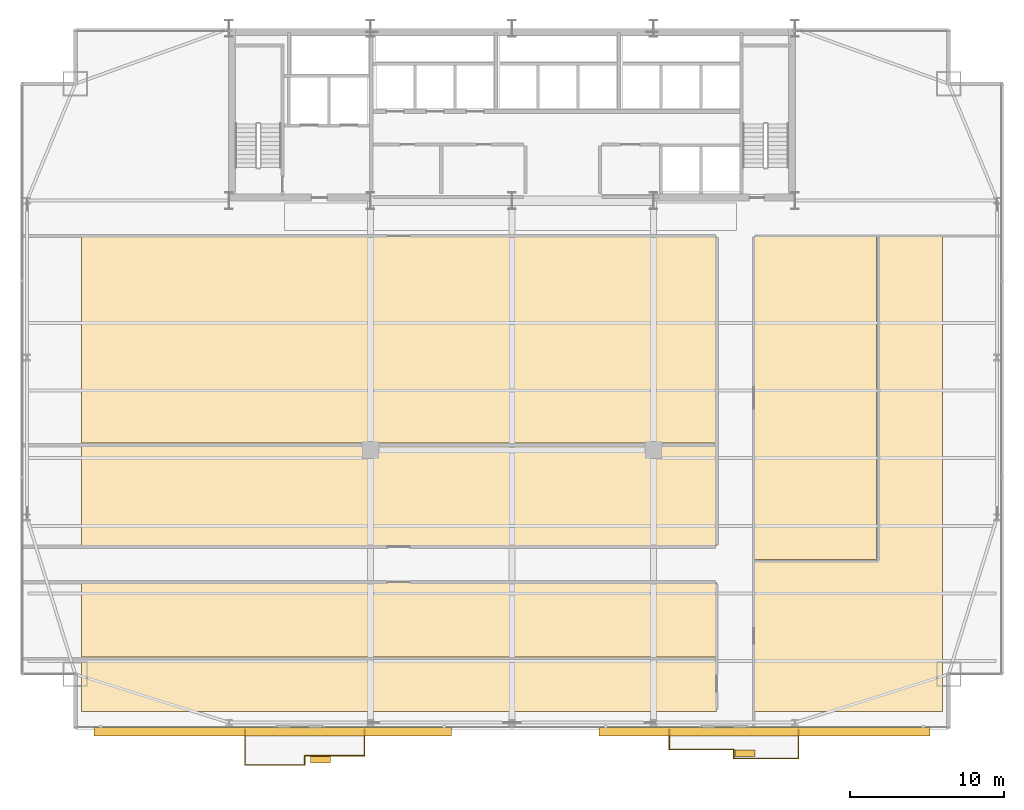
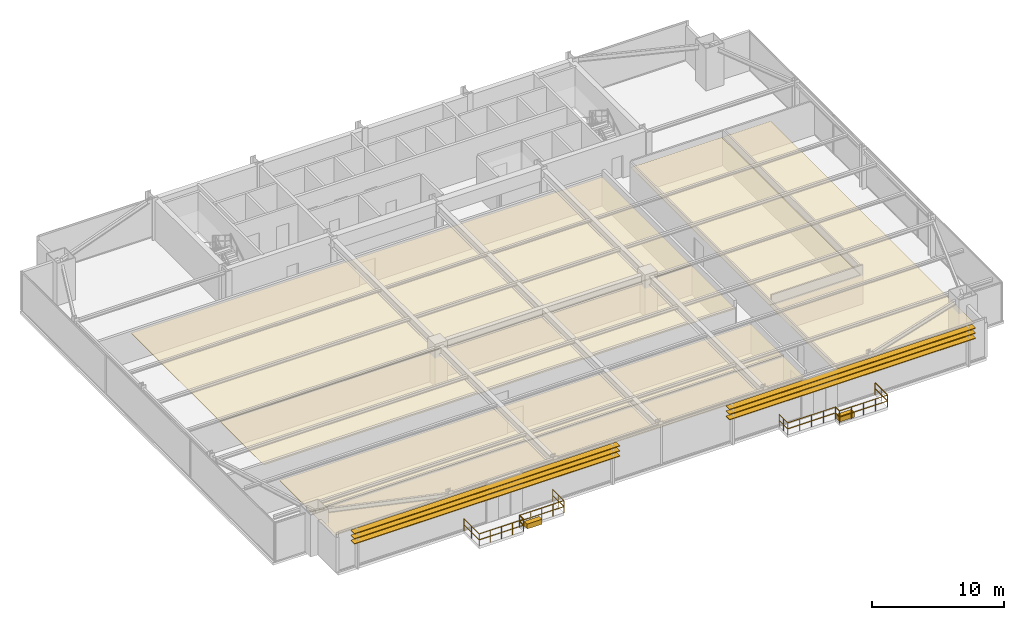
# One storey, part 30 of 31: 10 railings, 8 coverings, 6 shading devices.
"""IFC4 building model written with IfcOpenShell, lengths in metres."""

import ifcopenshell
import ifcopenshell.guid

model = None  # the IFC model being written
_history = None  # IfcOwnerHistory: only IFC2X3 demands one
_inside = {}  # id of a spatial element -> (the spatial element, [elements in it])
_under = {}  # id of a project, library or spatial element -> (it, [spatial elements below it])
_declared = {}  # id of a project -> (the project, [libraries it declares])
_typed = {}  # id of a type object -> (the type object, [elements of that type])
_made_of = {}  # id of a material, layer set ... -> (it, [elements and type objects made of it])


def new_model(schema):
    """Start an empty IFC model of exactly this schema.

    Asked for "IFC4X3", IfcOpenShell would pick the latest addendum, in which some entities
    have other attributes; the version numbers below select the first issue.
    IFC2X3 requires an IfcOwnerHistory on every rooted entity: one is made here for all.
    """
    global model, _history
    if schema == "IFC4X3":
        model = ifcopenshell.file(schema_version=(4, 3, 0, 0))
    else:
        model = ifcopenshell.file(schema=schema)
    _inside.clear()
    _under.clear()
    _declared.clear()
    _typed.clear()
    _made_of.clear()
    _history = None
    if model.schema == "IFC2X3":
        org = make("IfcOrganization", Name="unknown")
        user = make(
            "IfcPersonAndOrganization",
            ThePerson=make("IfcPerson", FamilyName="unknown"),
            TheOrganization=org,
        )
        app = make(
            "IfcApplication",
            ApplicationDeveloper=org,
            Version="unknown",
            ApplicationFullName="unknown",
            ApplicationIdentifier="unknown",
        )
        _history = make(
            "IfcOwnerHistory",
            OwningUser=user,
            OwningApplication=app,
            ChangeAction="ADDED",
            CreationDate=0,
        )
    return model


def make(cls, **values):
    """One entity of the class cls with the attributes given. An attribute that is None is left unset."""
    return model.create_entity(
        cls, **{name: value for name, value in values.items() if value is not None}
    )


def rooted(cls, **values):
    """An entity with a GlobalId (a new one), such as an element, a storey or a relation."""
    return make(cls, GlobalId=ifcopenshell.guid.new(), OwnerHistory=_history, **values)


def si_unit(unit_type, name, prefix=None):
    """IfcSIUnit, for example si_unit("LENGTHUNIT", "METRE", prefix="MILLI")."""
    return make("IfcSIUnit", UnitType=unit_type, Prefix=prefix, Name=name)


def assignment(units):
    """IfcUnitAssignment: the units of a project."""
    return None if units is None else make("IfcUnitAssignment", Units=units)


def point(xyz):
    """IfcCartesianPoint."""
    return None if xyz is None else make("IfcCartesianPoint", Coordinates=xyz)


def direction(xyz):
    """IfcDirection."""
    return None if xyz is None else make("IfcDirection", DirectionRatios=xyz)


def frame(location, z_axis=None, x_axis=None):
    """IfcAxis2Placement3D, a coordinate frame: its origin and axes. An axis left out is left unset."""
    return make(
        "IfcAxis2Placement3D",
        Location=point(location),
        Axis=direction(z_axis),
        RefDirection=direction(x_axis),
    )


def frame_2d(location, x_axis=None):
    """IfcAxis2Placement2D, a coordinate frame in the plane: its origin and x axis."""
    return make(
        "IfcAxis2Placement2D", Location=point(location), RefDirection=direction(x_axis)
    )


def origin():
    """The frame at (0, 0, 0) with its axes left unset."""
    return frame((0.0, 0.0, 0.0))


def origin_2d():
    """The frame at (0, 0) in the plane with its x axis left unset."""
    return frame_2d((0.0, 0.0))


def place(relative_to, where):
    """IfcLocalPlacement: puts the frame where relative to a parent placement (None: the world)."""
    return make(
        "IfcLocalPlacement", PlacementRelTo=relative_to, RelativePlacement=where
    )


def context(
    kind, dimensions, precision=None, world=None, true_north=None, identifier=None
):
    """IfcGeometricRepresentationContext, for example the 3D "Model" context."""
    return make(
        "IfcGeometricRepresentationContext",
        ContextIdentifier=identifier,
        ContextType=kind,
        CoordinateSpaceDimension=dimensions,
        Precision=precision,
        WorldCoordinateSystem=world,
        TrueNorth=true_north,
    )


def subcontext(parent, identifier, kind, view, scale=None):
    """IfcGeometricRepresentationSubContext, for example "Body" below "Model"."""
    return make(
        "IfcGeometricRepresentationSubContext",
        ContextIdentifier=identifier,
        ContextType=kind,
        ParentContext=parent,
        TargetScale=scale,
        TargetView=view,
    )


def project(units=None, contexts=None):
    """IfcProject with its units and contexts."""
    return rooted(
        "IfcProject",
        Name="project",
        RepresentationContexts=contexts,
        UnitsInContext=assignment(units),
    )


def spatial(cls, under=None, at=None, **own):
    """A site, building, storey or space (cls), placed at a placement, below another one or the project."""
    s = rooted(cls, ObjectPlacement=at, **own)
    if under is not None:
        _under.setdefault(under.id(), (under, []))[1].append(s)
    return s


def polyline(points):
    """IfcPolyline through the points."""
    return make("IfcPolyline", Points=[point(p) for p in points])


def profile(cls, at=None, kind="AREA", **sizes):
    """A parametric profile (cls). Its sizes go by their IFC names, for example OverallWidth=200.0."""
    return make(cls, ProfileType=kind, Position=at, **sizes)


def rectangle(**sizes):
    """IfcRectangleProfileDef."""
    return profile("IfcRectangleProfileDef", **sizes)


def outline(outer, holes=None, kind="AREA"):
    """IfcArbitraryClosedProfileDef: a profile drawn as a closed curve; with holes, ...WithVoids."""
    if holes is None:
        return make("IfcArbitraryClosedProfileDef", ProfileType=kind, OuterCurve=outer)
    return make(
        "IfcArbitraryProfileDefWithVoids",
        ProfileType=kind,
        OuterCurve=outer,
        InnerCurves=holes,
    )


def extrude(swept, where, along, depth):
    """IfcExtrudedAreaSolid: the profile swept, set in the frame where, extruded along a direction by depth."""
    return make(
        "IfcExtrudedAreaSolid",
        SweptArea=swept,
        Position=where,
        ExtrudedDirection=direction(along),
        Depth=depth,
    )


def shape(context_of_items, identifier, shape_type, items):
    """IfcShapeRepresentation: the items that make up one representation, for example the "Body"."""
    return make(
        "IfcShapeRepresentation",
        ContextOfItems=context_of_items,
        RepresentationIdentifier=identifier,
        RepresentationType=shape_type,
        Items=items,
    )


def source(mapping_origin, context_of_items, identifier, shape_type, items):
    """IfcRepresentationMap: a shape defined once, which mapped items show again and again."""
    return make(
        "IfcRepresentationMap",
        MappingOrigin=mapping_origin,
        MappedRepresentation=shape(context_of_items, identifier, shape_type, items),
    )


def transform(
    local_origin,
    x_axis=None,
    y_axis=None,
    z_axis=None,
    scale=None,
    scale2=None,
    scale3=None,
    uniform=True,
):
    """IfcCartesianTransformationOperator3D, or its non-uniform kind. x_axis, y_axis, z_axis: its Axis1, 2, 3."""
    if uniform:
        return make(
            "IfcCartesianTransformationOperator3D",
            Axis1=direction(x_axis),
            Axis2=direction(y_axis),
            LocalOrigin=point(local_origin),
            Scale=scale,
            Axis3=direction(z_axis),
        )
    return make(
        "IfcCartesianTransformationOperator3DnonUniform",
        Axis1=direction(x_axis),
        Axis2=direction(y_axis),
        LocalOrigin=point(local_origin),
        Scale=scale,
        Axis3=direction(z_axis),
        Scale2=scale2,
        Scale3=scale3,
    )


def mapped(mapping_source, mapping_target):
    """IfcMappedItem: shows the shape of a source again, moved by a transform."""
    return make(
        "IfcMappedItem", MappingSource=mapping_source, MappingTarget=mapping_target
    )


def material(Name=None, Category=None):
    """IfcMaterial."""
    return make("IfcMaterial", Name=Name, Category=Category)


def layer(
    of_material, thickness, ventilated=None, Name=None, Category=None, Priority=None
):
    """IfcMaterialLayer: one layer of a wall or slab, of a material (None: an air gap)."""
    return make(
        "IfcMaterialLayer",
        Material=of_material,
        LayerThickness=thickness,
        IsVentilated=ventilated,
        Name=Name,
        Category=Category,
        Priority=Priority,
    )


def layer_set(layers, Name=None):
    """IfcMaterialLayerSet."""
    return make("IfcMaterialLayerSet", MaterialLayers=layers, LayerSetName=Name)


def made_of(thing, what):
    """Note that an element or type object is made of a material, layer set ...; save() writes the relation."""
    if what is not None:
        _made_of.setdefault(what.id(), (what, []))[1].append(thing)
    return thing


def type_object(cls, material=None, **own):
    """A type object (cls), such as IfcWallType, which elements share."""
    return made_of(rooted(cls, **own), material)


def type_shapes(of_type, sources):
    """Give a type object the sources (RepresentationMaps) that its elements show as mapped items."""
    of_type.RepresentationMaps = sources


def element(
    cls,
    number,
    at=None,
    inside=None,
    cuts=None,
    type_object=None,
    material=None,
    context=None,
    identifier="Body",
    shape_type=None,
    held_by="IfcProductDefinitionShape",
    body=None,
    shapes=None,
    **own,
):
    """One element of the class cls, such as IfcWall. Its Tag is "e" and its number.

    at: its placement. inside: the storey or other place that contains it. cuts: it is an
    opening in that element (IfcRelVoidsElement). A single representation is given by context,
    identifier, shape_type and body (its items); several are given by shapes. held_by: the class
    of the entity that holds the representations. save() writes the other relations.
    """
    e = rooted(cls, Tag="e%d" % number, ObjectPlacement=at, **own)
    if body is not None:
        shapes = [shape(context, identifier, shape_type, body)]
    if shapes is not None:
        e.Representation = make(held_by, Representations=shapes)
    if inside is not None:
        _inside.setdefault(inside.id(), (inside, []))[1].append(e)
    if cuts is not None:
        rooted(
            "IfcRelVoidsElement", RelatingBuildingElement=cuts, RelatedOpeningElement=e
        )
    if type_object is not None:
        _typed.setdefault(type_object.id(), (type_object, []))[1].append(e)
    return made_of(e, material)


def aggregate(whole, parts):
    """IfcRelAggregates: a whole, such as a stair, and the parts it consists of."""
    return rooted("IfcRelAggregates", RelatingObject=whole, RelatedObjects=parts)


def save(model, path):
    """Write the relations noted so far, then the file.

    IfcRelAggregates (storeys below a building ...), IfcRelContainedInSpatialStructure (elements
    in a storey), IfcRelDefinesByType, IfcRelAssociatesMaterial and IfcRelDeclares: one each for
    every whole, place, type object, material and project.
    """
    for whole, parts in _under.values():
        aggregate(whole, parts)
    for where, things in _inside.values():
        rooted(
            "IfcRelContainedInSpatialStructure",
            RelatedElements=things,
            RelatingStructure=where,
        )
    for kind, things in _typed.values():
        rooted("IfcRelDefinesByType", RelatedObjects=things, RelatingType=kind)
    for what, things in _made_of.values():
        rooted("IfcRelAssociatesMaterial", RelatedObjects=things, RelatingMaterial=what)
    for by, libraries in _declared.values():
        rooted("IfcRelDeclares", RelatingContext=by, RelatedDefinitions=libraries)
    model.write(path)


model = new_model("IFC4")

# Units and contexts
model_context = context("Model", 3, precision=1e-05, world=origin(), true_north=direction((0.0, 1.0)))
body_context = subcontext(model_context, "Body", "Model", "MODEL_VIEW")
ifc_project = project(units=[si_unit("LENGTHUNIT", "METRE"), si_unit("AREAUNIT", "SQUARE_METRE"), si_unit("VOLUMEUNIT", "CUBIC_METRE"), si_unit("PLANEANGLEUNIT", "RADIAN"), si_unit("MASSUNIT", "GRAM", prefix="KILO")], contexts=[model_context])

# Site, building, storey
site_placement = place(None, origin())
site = spatial("IfcSite", under=ifc_project, at=site_placement, CompositionType="ELEMENT")
building_placement = place(site_placement, origin())
building = spatial("IfcBuilding", under=site, at=building_placement, Name="Varnel Quay Broadcast Tower", CompositionType="ELEMENT")
storey_placement = place(building_placement, frame((0.0, 0.0, 39.300048828125)))
storey = spatial("IfcBuildingStorey", under=building, at=storey_placement, Name="L08", CompositionType="ELEMENT", Elevation=39.300048828125)

# Coverings
ifc_material_1 = material(Name="Micro-Perforated Acoustic Ceiling Tile")
ifc_layer_1 = layer(ifc_material_1, 0.0400390625, Name="Micro-Perforated Acoustic Ceiling Tile")
ifc_layer_set_1 = layer_set([ifc_layer_1], Name="Micro-Perforated Acoustic Ceiling Tile")
covering_type_1 = type_object("IfcCoveringType", Name="Cov_AcousticCeiling", PredefinedType="CEILING", material=ifc_layer_set_1)
covering_1_placement = place(storey_placement, frame((0.0, 0.0, 2.579833984375)))
element("IfcCovering", 1, at=covering_1_placement, inside=storey, type_object=covering_type_1, Name="L08 Broadcast Seminar Room 1 Acoustic Ceiling", PredefinedType="CEILING", context=body_context, shape_type="SweptSolid", body=[
    extrude(outline(polyline([(5.985107421875, 2.375), (47.284912109375, 2.375), (47.284912109375, 5.864990234375), (5.985107421875, 5.864990234375), (5.985107421875, 2.375)])), origin(), (0.0, 0.0, 1.0), 0.0400390625),
])
covering_2_placement = place(storey_placement, frame((0.0, 0.0, 2.579833984375)))
element("IfcCovering", 2, at=covering_2_placement, inside=storey, type_object=covering_type_1, Name="L08 Podcast Recording Studio 2 Acoustic Ceiling", PredefinedType="CEILING", context=body_context, shape_type="SweptSolid", body=[
    extrude(outline(polyline([(5.985107421875, 5.93505859375), (47.284912109375, 5.93505859375), (47.284912109375, 10.7548828125), (5.985107421875, 10.7548828125), (5.985107421875, 5.93505859375)])), origin(), (0.0, 0.0, 1.0), 0.0400390625),
])
covering_3_placement = place(storey_placement, frame((0.0, 0.0, 2.579833984375)))
element("IfcCovering", 3, at=covering_3_placement, inside=storey, type_object=covering_type_1, Name="L08 Foley Sound Studio 3 Acoustic Ceiling", PredefinedType="CEILING", context=body_context, shape_type="SweptSolid", body=[
    extrude(outline(polyline([(5.985107421875, 13.125), (47.284912109375, 13.125), (47.284912109375, 19.7548828125), (5.985107421875, 19.7548828125), (5.985107421875, 13.125)])), origin(), (0.0, 0.0, 1.0), 0.0400390625),
])
covering_4_placement = place(storey_placement, frame((0.0, 0.0, 2.579833984375)))
element("IfcCovering", 4, at=covering_4_placement, inside=storey, type_object=covering_type_1, Name="L08 Voice Booth 4 Acoustic Ceiling", PredefinedType="CEILING", context=body_context, shape_type="SweptSolid", body=[
    extrude(outline(polyline([(5.985107421875, 19.824951171875), (47.284912109375, 19.824951171875), (47.284912109375, 33.264892578125), (5.985107421875, 33.264892578125), (5.985107421875, 19.824951171875)])), origin(), (0.0, 0.0, 1.0), 0.0400390625),
])
covering_5_placement = place(storey_placement, frame((0.0, 0.0, 2.579833984375)))
element("IfcCovering", 5, at=covering_5_placement, inside=storey, type_object=covering_type_1, Name="L08 Talent Lounge 5 Acoustic Ceiling", PredefinedType="CEILING", context=body_context, shape_type="SweptSolid", body=[
    extrude(outline(polyline([(49.7548828125, 2.375), (62.014892578125, 2.375), (62.014892578125, 33.264892578125), (57.784912109375, 33.264892578125), (57.784912109375, 12.195068359375), (49.7548828125, 12.195068359375), (49.7548828125, 2.375)])), origin(), (0.0, 0.0, 1.0), 0.0400390625),
])
covering_6_placement = place(storey_placement, frame((0.0, 0.0, 2.579833984375)))
element("IfcCovering", 6, at=covering_6_placement, inside=storey, type_object=covering_type_1, Name="L08 Foley Sound Studio 6 Acoustic Ceiling", PredefinedType="CEILING", context=body_context, shape_type="SweptSolid", body=[
    extrude(outline(polyline([(49.7548828125, 12.264892578125), (57.715087890625, 12.264892578125), (57.715087890625, 33.264892578125), (49.7548828125, 33.264892578125), (49.7548828125, 12.264892578125)])), origin(), (0.0, 0.0, 1.0), 0.0400390625),
])

# Railings
ifc_material_2 = material(Name="Anodised Bronze Aluminium 6063-T6", Category="aluminium")
railing_type = type_object("IfcRailingType", Name="Rail_Balustrade1150", PredefinedType="BALUSTRADE", material=ifc_material_2)
railing_1_placement = place(storey_placement, frame((16.6298828125, -1.110107421875, 0.0)))
element("IfcRailing", 7, at=railing_1_placement, inside=storey, type_object=railing_type, Name="L08 Terrace 1 Guard 1", PredefinedType="BALUSTRADE", context=body_context, shape_type="SweptSolid", body=[
    extrude(rectangle(XDim=0.048095703125, YDim=0.048095703125, at=origin_2d()), frame((0.0, 0.0, 1.1259765625), z_axis=(1.0, 0.0, 0.0), x_axis=(0.0, 1.0, 0.0)), (0.0, 0.0, 1.0), 3.885009765625),
    extrude(rectangle(XDim=0.048095703125, YDim=0.048095703125, at=origin_2d()), frame((0.0, 0.0, 0.574951171875), z_axis=(1.0, 0.0, 0.0), x_axis=(0.0, 1.0, 0.0)), (0.0, 0.0, 1.0), 3.885009765625),
    extrude(rectangle(XDim=0.0419921875, YDim=0.0419921875, at=origin_2d()), origin(), (0.0, 0.0, 1.0), 1.101806640625),
    extrude(rectangle(XDim=0.0419921875, YDim=0.0419921875, at=origin_2d()), frame((0.97119140625, 0.0, 0.0)), (0.0, 0.0, 1.0), 1.101806640625),
    extrude(rectangle(XDim=0.0419921875, YDim=0.0419921875, at=origin_2d()), frame((1.9423828125, 0.0, 0.0)), (0.0, 0.0, 1.0), 1.101806640625),
    extrude(rectangle(XDim=0.0419921875, YDim=0.0419921875, at=origin_2d()), frame((2.913818359375, 0.0, 0.0)), (0.0, 0.0, 1.0), 1.101806640625),
    extrude(rectangle(XDim=0.0419921875, YDim=0.0419921875, at=origin_2d()), frame((3.885009765625, 0.0, 0.0)), (0.0, 0.0, 1.0), 1.101806640625),
])
railing_2_placement = place(storey_placement, frame((20.514892578125, -1.110107421875, 0.0)))
element("IfcRailing", 8, at=railing_2_placement, inside=storey, type_object=railing_type, Name="L08 Terrace 1 Guard 2", PredefinedType="BALUSTRADE", context=body_context, shape_type="SweptSolid", body=[
    extrude(rectangle(XDim=0.048095703125, YDim=0.048095703125, at=origin_2d()), frame((0.0, 0.0, 1.1259765625), z_axis=(0.0, 1.0, 0.0), x_axis=(-1.0, 0.0, 0.0)), (0.0, 0.0, 1.0), 0.60009765625),
    extrude(rectangle(XDim=0.048095703125, YDim=0.048095703125, at=origin_2d()), frame((0.0, 0.0, 0.574951171875), z_axis=(0.0, 1.0, 0.0), x_axis=(-1.0, 0.0, 0.0)), (0.0, 0.0, 1.0), 0.60009765625),
    extrude(rectangle(XDim=0.0419921875, YDim=0.0419921875, at=origin_2d()), origin(), (0.0, 0.0, 1.0), 1.101806640625),
    extrude(rectangle(XDim=0.0419921875, YDim=0.0419921875, at=origin_2d()), frame((0.0, 0.60009765625, 0.0)), (0.0, 0.0, 1.0), 1.101806640625),
])
railing_3_placement = place(storey_placement, frame((20.514892578125, -0.510009765625, 0.0)))
element("IfcRailing", 9, at=railing_3_placement, inside=storey, type_object=railing_type, Name="L08 Terrace 1 Guard 3", PredefinedType="BALUSTRADE", context=body_context, shape_type="SweptSolid", body=[
    extrude(rectangle(XDim=0.048095703125, YDim=0.048095703125, at=origin_2d()), frame((0.0, 0.0, 1.1259765625), z_axis=(1.0, 0.0, 0.0), x_axis=(0.0, 1.0, 0.0)), (0.0, 0.0, 1.0), 3.885009765625),
    extrude(rectangle(XDim=0.048095703125, YDim=0.048095703125, at=origin_2d()), frame((0.0, 0.0, 0.574951171875), z_axis=(1.0, 0.0, 0.0), x_axis=(0.0, 1.0, 0.0)), (0.0, 0.0, 1.0), 3.885009765625),
    extrude(rectangle(XDim=0.0419921875, YDim=0.0419921875, at=origin_2d()), origin(), (0.0, 0.0, 1.0), 1.101806640625),
    extrude(rectangle(XDim=0.0419921875, YDim=0.0419921875, at=origin_2d()), frame((0.97119140625, 0.0, 0.0)), (0.0, 0.0, 1.0), 1.101806640625),
    extrude(rectangle(XDim=0.0419921875, YDim=0.0419921875, at=origin_2d()), frame((1.9423828125, 0.0, 0.0)), (0.0, 0.0, 1.0), 1.101806640625),
    extrude(rectangle(XDim=0.0419921875, YDim=0.0419921875, at=origin_2d()), frame((2.913818359375, 0.0, 0.0)), (0.0, 0.0, 1.0), 1.101806640625),
    extrude(rectangle(XDim=0.0419921875, YDim=0.0419921875, at=origin_2d()), frame((3.885009765625, 0.0, 0.0)), (0.0, 0.0, 1.0), 1.101806640625),
])
railing_4_placement = place(storey_placement, frame((24.39990234375, -0.510009765625, 0.0)))
element("IfcRailing", 10, at=railing_4_placement, inside=storey, type_object=railing_type, Name="L08 Terrace 1 Guard 4", PredefinedType="BALUSTRADE", context=body_context, shape_type="SweptSolid", body=[
    extrude(rectangle(XDim=0.048095703125, YDim=0.048095703125, at=origin_2d()), frame((0.0, 0.0, 1.1259765625), z_axis=(0.0, 1.0, 0.0), x_axis=(-1.0, 0.0, 0.0)), (0.0, 0.0, 1.0), 1.7099609375),
    extrude(rectangle(XDim=0.048095703125, YDim=0.048095703125, at=origin_2d()), frame((0.0, 0.0, 0.574951171875), z_axis=(0.0, 1.0, 0.0), x_axis=(-1.0, 0.0, 0.0)), (0.0, 0.0, 1.0), 1.7099609375),
    extrude(rectangle(XDim=0.0419921875, YDim=0.0419921875, at=origin_2d()), origin(), (0.0, 0.0, 1.0), 1.101806640625),
    extrude(rectangle(XDim=0.0419921875, YDim=0.0419921875, at=origin_2d()), frame((0.0, 0.85498046875, 0.0)), (0.0, 0.0, 1.0), 1.101806640625),
    extrude(rectangle(XDim=0.0419921875, YDim=0.0419921875, at=origin_2d()), frame((0.0, 1.7099609375, 0.0)), (0.0, 0.0, 1.0), 1.101806640625),
])
railing_5_placement = place(storey_placement, frame((16.6298828125, 1.199951171875, 0.0)))
element("IfcRailing", 11, at=railing_5_placement, inside=storey, type_object=railing_type, Name="L08 Terrace 1 Guard 6", PredefinedType="BALUSTRADE", context=body_context, shape_type="SweptSolid", body=[
    extrude(rectangle(XDim=0.048095703125, YDim=0.048095703125, at=origin_2d()), frame((0.0, 0.0, 1.1259765625), z_axis=(0.0, -1.0, 0.0), x_axis=(1.0, 0.0, 0.0)), (0.0, 0.0, 1.0), 2.31005859375),
    extrude(rectangle(XDim=0.048095703125, YDim=0.048095703125, at=origin_2d()), frame((0.0, 0.0, 0.574951171875), z_axis=(0.0, -1.0, 0.0), x_axis=(1.0, 0.0, 0.0)), (0.0, 0.0, 1.0), 2.31005859375),
    extrude(rectangle(XDim=0.0419921875, YDim=0.0419921875, at=origin_2d()), origin(), (0.0, 0.0, 1.0), 1.101806640625),
    extrude(rectangle(XDim=0.0419921875, YDim=0.0419921875, at=origin_2d()), frame((0.0, -1.155029296875, 0.0)), (0.0, 0.0, 1.0), 1.101806640625),
    extrude(rectangle(XDim=0.0419921875, YDim=0.0419921875, at=origin_2d()), frame((0.0, -2.31005859375, 0.0)), (0.0, 0.0, 1.0), 1.101806640625),
])
railing_6_placement = place(storey_placement, frame((44.22998046875, -0.090087890625, 0.0)))
element("IfcRailing", 12, at=railing_6_placement, inside=storey, type_object=railing_type, Name="L08 Terrace 2 Guard 1", PredefinedType="BALUSTRADE", context=body_context, shape_type="SweptSolid", body=[
    extrude(rectangle(XDim=0.048095703125, YDim=0.048095703125, at=origin_2d()), frame((0.0, 0.0, 1.1259765625), z_axis=(1.0, 0.0, 0.0), x_axis=(0.0, 1.0, 0.0)), (0.0, 0.0, 1.0), 4.199951171875),
    extrude(rectangle(XDim=0.048095703125, YDim=0.048095703125, at=origin_2d()), frame((0.0, 0.0, 0.574951171875), z_axis=(1.0, 0.0, 0.0), x_axis=(0.0, 1.0, 0.0)), (0.0, 0.0, 1.0), 4.199951171875),
    extrude(rectangle(XDim=0.0419921875, YDim=0.0419921875, at=origin_2d()), origin(), (0.0, 0.0, 1.0), 1.101806640625),
    extrude(rectangle(XDim=0.0419921875, YDim=0.0419921875, at=origin_2d()), frame((1.050048828125, 0.0, 0.0)), (0.0, 0.0, 1.0), 1.101806640625),
    extrude(rectangle(XDim=0.0419921875, YDim=0.0419921875, at=origin_2d()), frame((2.10009765625, 0.0, 0.0)), (0.0, 0.0, 1.0), 1.101806640625),
    extrude(rectangle(XDim=0.0419921875, YDim=0.0419921875, at=origin_2d()), frame((3.14990234375, 0.0, 0.0)), (0.0, 0.0, 1.0), 1.101806640625),
    extrude(rectangle(XDim=0.0419921875, YDim=0.0419921875, at=origin_2d()), frame((4.199951171875, 0.0, 0.0)), (0.0, 0.0, 1.0), 1.101806640625),
])
railing_7_placement = place(storey_placement, frame((48.429931640625, -0.090087890625, 0.0)))
element("IfcRailing", 13, at=railing_7_placement, inside=storey, type_object=railing_type, Name="L08 Terrace 2 Guard 2", PredefinedType="BALUSTRADE", context=body_context, shape_type="SweptSolid", body=[
    extrude(rectangle(XDim=0.048095703125, YDim=0.048095703125, at=origin_2d()), frame((0.0, 0.0, 1.1259765625), z_axis=(0.0, -1.0, 0.0), x_axis=(1.0, 0.0, 0.0)), (0.0, 0.0, 1.0), 0.599853515625),
    extrude(rectangle(XDim=0.048095703125, YDim=0.048095703125, at=origin_2d()), frame((0.0, 0.0, 0.574951171875), z_axis=(0.0, -1.0, 0.0), x_axis=(1.0, 0.0, 0.0)), (0.0, 0.0, 1.0), 0.599853515625),
    extrude(rectangle(XDim=0.0419921875, YDim=0.0419921875, at=origin_2d()), origin(), (0.0, 0.0, 1.0), 1.101806640625),
    extrude(rectangle(XDim=0.0419921875, YDim=0.0419921875, at=origin_2d()), frame((0.0, -0.599853515625, 0.0)), (0.0, 0.0, 1.0), 1.101806640625),
])
railing_8_placement = place(storey_placement, frame((48.429931640625, -0.68994140625, 0.0)))
element("IfcRailing", 14, at=railing_8_placement, inside=storey, type_object=railing_type, Name="L08 Terrace 2 Guard 3", PredefinedType="BALUSTRADE", context=body_context, shape_type="SweptSolid", body=[
    extrude(rectangle(XDim=0.048095703125, YDim=0.048095703125, at=origin_2d()), frame((0.0, 0.0, 1.1259765625), z_axis=(1.0, 0.0, 0.0), x_axis=(0.0, 1.0, 0.0)), (0.0, 0.0, 1.0), 4.199951171875),
    extrude(rectangle(XDim=0.048095703125, YDim=0.048095703125, at=origin_2d()), frame((0.0, 0.0, 0.574951171875), z_axis=(1.0, 0.0, 0.0), x_axis=(0.0, 1.0, 0.0)), (0.0, 0.0, 1.0), 4.199951171875),
    extrude(rectangle(XDim=0.0419921875, YDim=0.0419921875, at=origin_2d()), origin(), (0.0, 0.0, 1.0), 1.101806640625),
    extrude(rectangle(XDim=0.0419921875, YDim=0.0419921875, at=origin_2d()), frame((1.050048828125, 0.0, 0.0)), (0.0, 0.0, 1.0), 1.101806640625),
    extrude(rectangle(XDim=0.0419921875, YDim=0.0419921875, at=origin_2d()), frame((2.10009765625, 0.0, 0.0)), (0.0, 0.0, 1.0), 1.101806640625),
    extrude(rectangle(XDim=0.0419921875, YDim=0.0419921875, at=origin_2d()), frame((3.14990234375, 0.0, 0.0)), (0.0, 0.0, 1.0), 1.101806640625),
    extrude(rectangle(XDim=0.0419921875, YDim=0.0419921875, at=origin_2d()), frame((4.199951171875, 0.0, 0.0)), (0.0, 0.0, 1.0), 1.101806640625),
])
railing_9_placement = place(storey_placement, frame((52.6298828125, -0.68994140625, 0.0)))
element("IfcRailing", 15, at=railing_9_placement, inside=storey, type_object=railing_type, Name="L08 Terrace 2 Guard 4", PredefinedType="BALUSTRADE", context=body_context, shape_type="SweptSolid", body=[
    extrude(rectangle(XDim=0.048095703125, YDim=0.048095703125, at=origin_2d()), frame((0.0, 0.0, 1.1259765625), z_axis=(0.0, 1.0, 0.0), x_axis=(-1.0, 0.0, 0.0)), (0.0, 0.0, 1.0), 1.889892578125),
    extrude(rectangle(XDim=0.048095703125, YDim=0.048095703125, at=origin_2d()), frame((0.0, 0.0, 0.574951171875), z_axis=(0.0, 1.0, 0.0), x_axis=(-1.0, 0.0, 0.0)), (0.0, 0.0, 1.0), 1.889892578125),
    extrude(rectangle(XDim=0.0419921875, YDim=0.0419921875, at=origin_2d()), origin(), (0.0, 0.0, 1.0), 1.101806640625),
    extrude(rectangle(XDim=0.0419921875, YDim=0.0419921875, at=origin_2d()), frame((0.0, 0.94482421875, 0.0)), (0.0, 0.0, 1.0), 1.101806640625),
    extrude(rectangle(XDim=0.0419921875, YDim=0.0419921875, at=origin_2d()), frame((0.0, 1.889892578125, 0.0)), (0.0, 0.0, 1.0), 1.101806640625),
])
railing_10_placement = place(storey_placement, frame((44.22998046875, 1.199951171875, 0.0)))
element("IfcRailing", 16, at=railing_10_placement, inside=storey, type_object=railing_type, Name="L08 Terrace 2 Guard 6", PredefinedType="BALUSTRADE", context=body_context, shape_type="SweptSolid", body=[
    extrude(rectangle(XDim=0.048095703125, YDim=0.048095703125, at=origin_2d()), frame((0.0, 0.0, 1.1259765625), z_axis=(0.0, -1.0, 0.0), x_axis=(1.0, 0.0, 0.0)), (0.0, 0.0, 1.0), 1.2900390625),
    extrude(rectangle(XDim=0.048095703125, YDim=0.048095703125, at=origin_2d()), frame((0.0, 0.0, 0.574951171875), z_axis=(0.0, -1.0, 0.0), x_axis=(1.0, 0.0, 0.0)), (0.0, 0.0, 1.0), 1.2900390625),
    extrude(rectangle(XDim=0.0419921875, YDim=0.0419921875, at=origin_2d()), origin(), (0.0, 0.0, 1.0), 1.101806640625),
    extrude(rectangle(XDim=0.0419921875, YDim=0.0419921875, at=origin_2d()), frame((0.0, -0.64501953125, 0.0)), (0.0, 0.0, 1.0), 1.101806640625),
    extrude(rectangle(XDim=0.0419921875, YDim=0.0419921875, at=origin_2d()), frame((0.0, -1.2900390625, 0.0)), (0.0, 0.0, 1.0), 1.101806640625),
])

# Coverings
ifc_material_3 = material(Name="Bronze-Terracotta Extruded Ceramic Blade", Category="masonry")
ifc_layer_2 = layer(ifc_material_3, 0.449951171875, Name="Bronze-Terracotta Extruded Ceramic Blade")
ifc_layer_set_2 = layer_set([ifc_layer_2], Name="Bronze-Terracotta Extruded Ceramic Blade")
covering_type_2 = type_object("IfcCoveringType", Name="Cov_BronzePlanter", PredefinedType="CLADDING", material=ifc_layer_set_2)
shared_shape_1 = source(origin(), body_context, "Body", "SweptSolid", [
    extrude(rectangle(XDim=1.300048828125, YDim=0.449951171875, at=origin_2d()), origin(), (0.0, 0.0, 1.0), 0.449951171875),
])
type_shapes(covering_type_2, [shared_shape_1])
for number, where, z_axis, x_axis, name in (
    (17, (21.550048828125, -0.760009765625, 0.0), (0.0, 0.0, 1.0), (1.0, 0.0, 0.0), "L08 Terrace 1 Bronze Planter"),
    (18, (49.14990234375, -0.340087890625, 0.0), (0.0, 0.0, 1.0), (1.0, 0.0, 0.0), "L08 Terrace 2 Bronze Planter"),
):
    element("IfcCovering", number, at=place(storey_placement, frame(where, z_axis=z_axis, x_axis=x_axis)), inside=storey, type_object=covering_type_2, Name=name, PredefinedType="CLADDING", context=body_context, shape_type="MappedRepresentation", body=[
        mapped(shared_shape_1, transform((0.0, 0.0, 0.0), x_axis=(1.0, 0.0, 0.0), y_axis=(0.0, 1.0, 0.0), z_axis=(0.0, 0.0, 1.0), scale=1.0)),
    ])

# Shading devices
ifc_layer_3 = layer(ifc_material_3, 0.06494140625, Name="Bronze-Terracotta Extruded Ceramic Blade")
ifc_layer_set_3 = layer_set([ifc_layer_3], Name="Bronze-Terracotta Extruded Ceramic Blade")
shading_device_type = type_object("IfcShadingDeviceType", Name="Shade_LouvreBlade550", PredefinedType="JALOUSIE", material=ifc_layer_set_3)
shared_shape_2 = source(origin(), body_context, "Body", "SweptSolid", [
    extrude(rectangle(XDim=23.256103515625, YDim=0.550048828125, at=origin_2d()), origin(), (0.0, 0.0, 1.0), 0.06494140625),
])
for number, where, z_axis, x_axis, name in (
    (19, (18.427978515625, 1.06005859375, 2.447509765625), (0.0, 0.0, 1.0), (1.0, 0.0, 0.0), "L08 Lobe 1 Horizontal Louvre Blade 1"),
    (20, (18.427978515625, 1.06005859375, 2.927490234375), (0.0, 0.0, 1.0), (1.0, 0.0, 0.0), "L08 Lobe 1 Horizontal Louvre Blade 2"),
    (21, (18.427978515625, 1.06005859375, 3.387451171875), (0.0, 0.0, 1.0), (1.0, 0.0, 0.0), "L08 Lobe 1 Horizontal Louvre Blade 3"),
):
    element("IfcShadingDevice", number, at=place(storey_placement, frame(where, z_axis=z_axis, x_axis=x_axis)), inside=storey, type_object=shading_device_type, Name=name, PredefinedType="JALOUSIE", context=body_context, shape_type="MappedRepresentation", body=[
        mapped(shared_shape_2, transform((0.0, 0.0, 0.0), x_axis=(1.0, 0.0, 0.0), y_axis=(0.0, 1.0, 0.0), z_axis=(0.0, 0.0, 1.0), scale=1.0)),
    ])
shared_shape_3 = source(origin(), body_context, "Body", "SweptSolid", [
    extrude(rectangle(XDim=21.5439453125, YDim=0.550048828125, at=origin_2d()), origin(), (0.0, 0.0, 1.0), 0.06494140625),
])
type_shapes(shading_device_type, [shared_shape_2, shared_shape_3])
for number, where, z_axis, x_axis, name in (
    (22, (50.427978515625, 1.06005859375, 2.447509765625), (0.0, 0.0, 1.0), (1.0, 0.0, 0.0), "L08 Lobe 2 Horizontal Louvre Blade 1"),
    (23, (50.427978515625, 1.06005859375, 2.927490234375), (0.0, 0.0, 1.0), (1.0, 0.0, 0.0), "L08 Lobe 2 Horizontal Louvre Blade 2"),
    (24, (50.427978515625, 1.06005859375, 3.387451171875), (0.0, 0.0, 1.0), (1.0, 0.0, 0.0), "L08 Lobe 2 Horizontal Louvre Blade 3"),
):
    element("IfcShadingDevice", number, at=place(storey_placement, frame(where, z_axis=z_axis, x_axis=x_axis)), inside=storey, type_object=shading_device_type, Name=name, PredefinedType="JALOUSIE", context=body_context, shape_type="MappedRepresentation", body=[
        mapped(shared_shape_3, transform((0.0, 0.0, 0.0), x_axis=(1.0, 0.0, 0.0), y_axis=(0.0, 1.0, 0.0), z_axis=(0.0, 0.0, 1.0), scale=1.0)),
    ])

save(model, "model.ifc")
